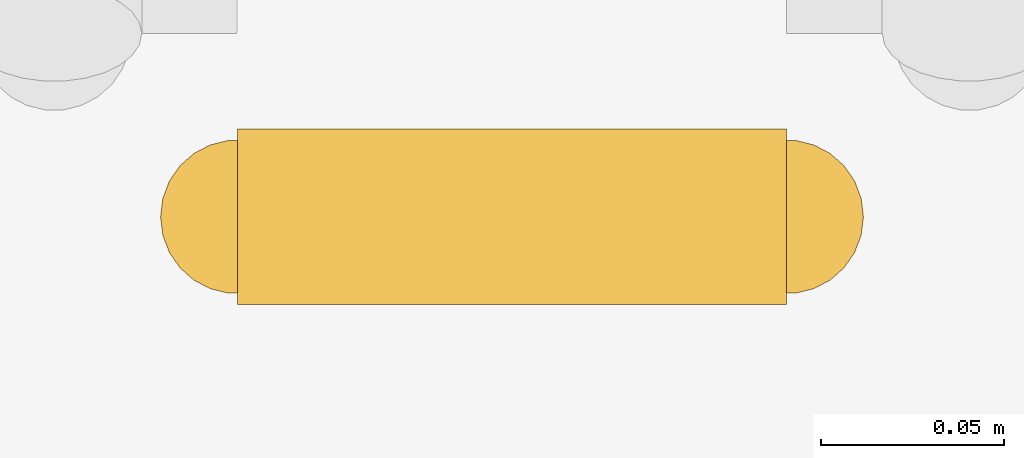
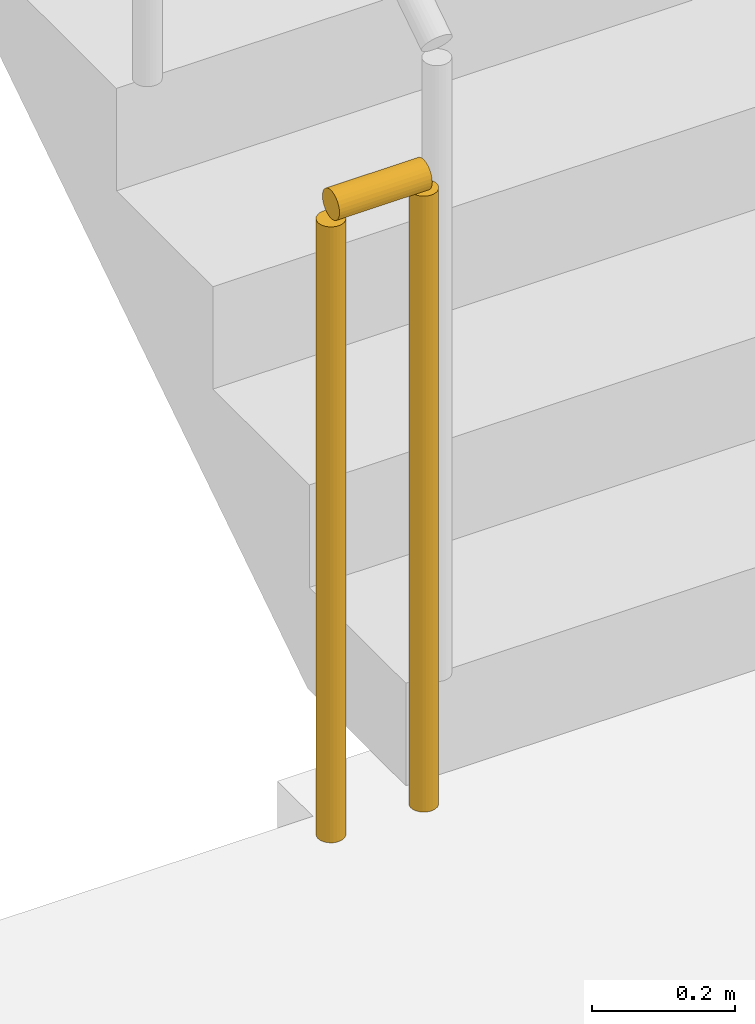
# One storey, part 15 of 20: 1 railing.
"""IFC4 building model written with IfcOpenShell, lengths in metres."""

from ifc_helpers import new_model, si_unit, direction, frame, origin, origin_2d, place, context, subcontext, project, spatial, circle, extrude, material, type_object, element, save


model = new_model("IFC4")

# Units and contexts
model_context = context("Model", 3, precision=1e-05, world=origin(), true_north=direction((0.0, 1.0)))
body_context = subcontext(model_context, "Body", "Model", "MODEL_VIEW")
ifc_project = project(units=[si_unit("LENGTHUNIT", "METRE"), si_unit("AREAUNIT", "SQUARE_METRE"), si_unit("VOLUMEUNIT", "CUBIC_METRE"), si_unit("PLANEANGLEUNIT", "RADIAN"), si_unit("MASSUNIT", "GRAM", prefix="KILO")], contexts=[model_context])

# Site, building, storey
site_placement = place(None, origin())
site = spatial("IfcSite", under=ifc_project, at=site_placement, CompositionType="ELEMENT")
building_placement = place(site_placement, origin())
building = spatial("IfcBuilding", under=site, at=building_placement, Name="Saffron Iwan Residences", CompositionType="ELEMENT")
storey_placement = place(building_placement, frame((0.0, 0.0, 178.0)))
storey = spatial("IfcBuildingStorey", under=building, at=storey_placement, Name="L47", CompositionType="ELEMENT", Elevation=178.0)

# Railing
ifc_material = material(Name="Steel S355", Category="steel")
railing_type = type_object("IfcRailingType", Name="Stair guard 1100", PredefinedType="GUARDRAIL", material=ifc_material)
railing_placement = place(storey_placement, frame((31.25, 67.800048828125, 0.0)))
element("IfcRailing", 1, at=railing_placement, inside=storey, type_object=railing_type, Name="L47 ST-W stair guard 2", PredefinedType="GUARDRAIL", context=body_context, shape_type="SweptSolid", body=[
    extrude(circle(Radius=0.02392578125, at=origin_2d()), frame((0.0, 0.0, 1.076171875), z_axis=(-1.0, 0.0, 0.0), x_axis=(0.0, -1.0, 0.0)), (0.0, 0.0, 1.0), 0.14990234375),
    extrude(circle(Radius=0.02099609375, at=origin_2d()), origin(), (0.0, 0.0, 1.0), 1.052001953125),
    extrude(circle(Radius=0.02099609375, at=origin_2d()), frame((-0.14990234375, 0.0, 0.0)), (0.0, 0.0, 1.0), 1.052001953125),
])

save(model, "model.ifc")
